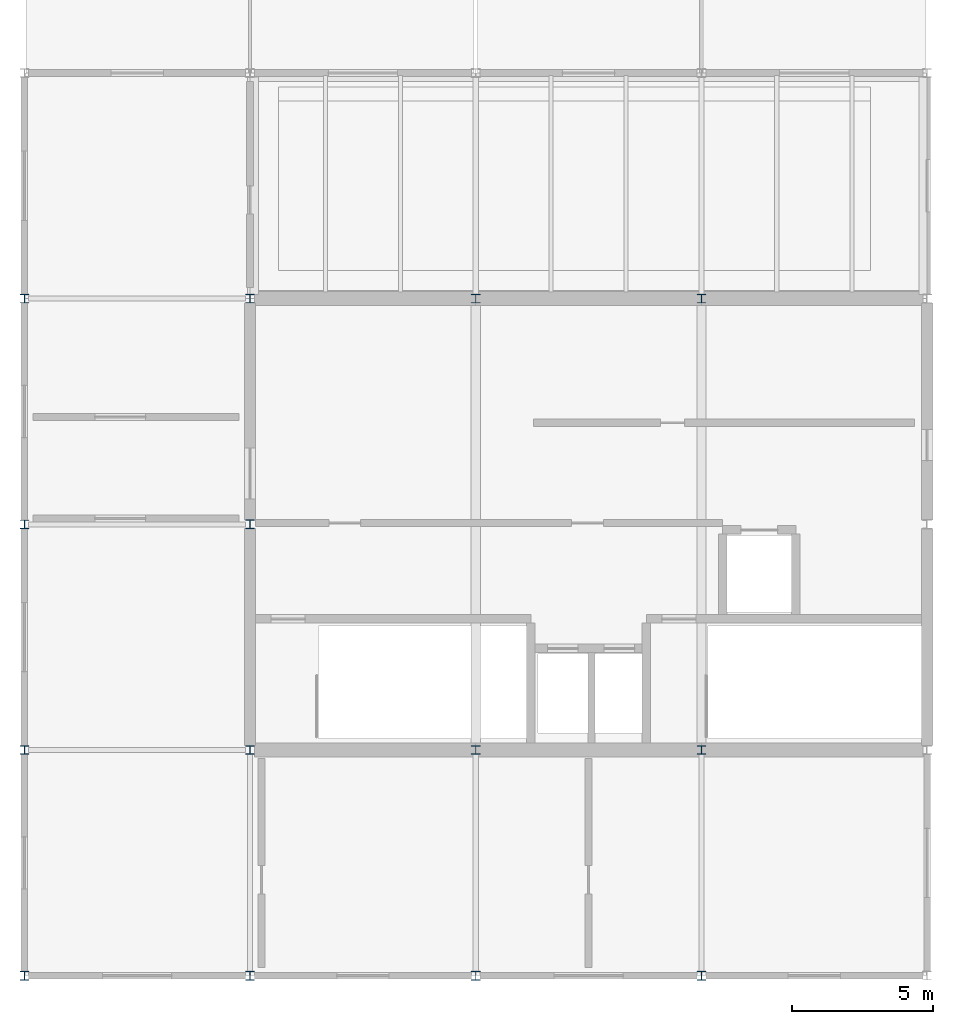
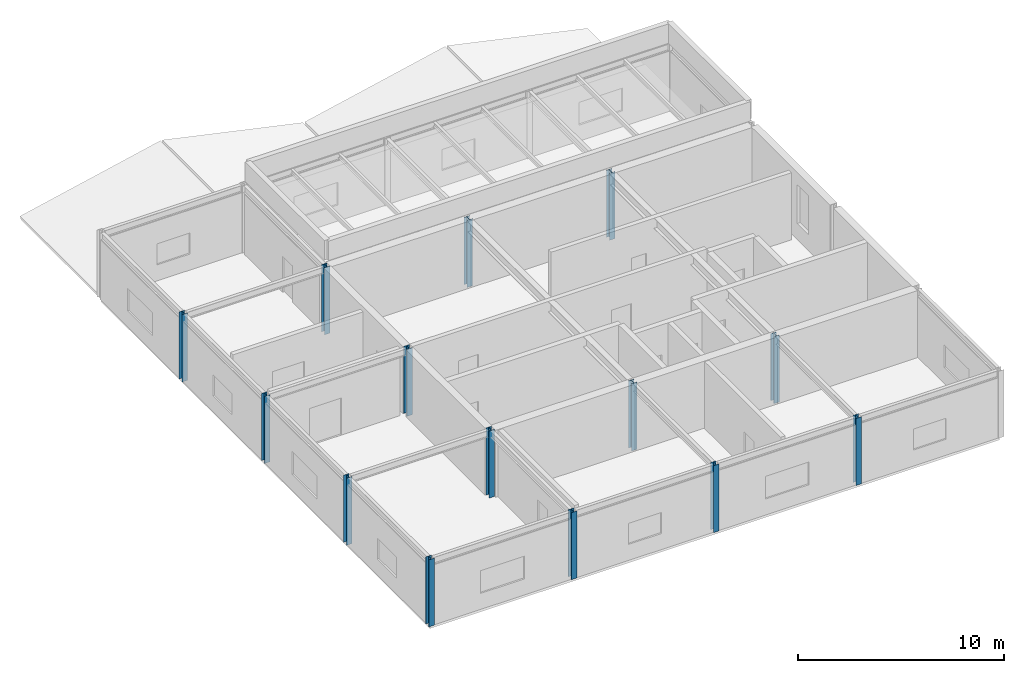
# One storey, part 1 of 7: 14 columns.
"""IFC4 building model written with IfcOpenShell, lengths in metres."""

import ifcopenshell
import ifcopenshell.guid

model = None  # the IFC model being written
_history = None  # IfcOwnerHistory: only IFC2X3 demands one
_inside = {}  # id of a spatial element -> (the spatial element, [elements in it])
_under = {}  # id of a project, library or spatial element -> (it, [spatial elements below it])
_declared = {}  # id of a project -> (the project, [libraries it declares])
_typed = {}  # id of a type object -> (the type object, [elements of that type])
_made_of = {}  # id of a material, layer set ... -> (it, [elements and type objects made of it])


def new_model(schema):
    """Start an empty IFC model of exactly this schema.

    Asked for "IFC4X3", IfcOpenShell would pick the latest addendum, in which some entities
    have other attributes; the version numbers below select the first issue.
    IFC2X3 requires an IfcOwnerHistory on every rooted entity: one is made here for all.
    """
    global model, _history
    if schema == "IFC4X3":
        model = ifcopenshell.file(schema_version=(4, 3, 0, 0))
    else:
        model = ifcopenshell.file(schema=schema)
    _inside.clear()
    _under.clear()
    _declared.clear()
    _typed.clear()
    _made_of.clear()
    _history = None
    if model.schema == "IFC2X3":
        org = make("IfcOrganization", Name="unknown")
        user = make(
            "IfcPersonAndOrganization",
            ThePerson=make("IfcPerson", FamilyName="unknown"),
            TheOrganization=org,
        )
        app = make(
            "IfcApplication",
            ApplicationDeveloper=org,
            Version="unknown",
            ApplicationFullName="unknown",
            ApplicationIdentifier="unknown",
        )
        _history = make(
            "IfcOwnerHistory",
            OwningUser=user,
            OwningApplication=app,
            ChangeAction="ADDED",
            CreationDate=0,
        )
    return model


def make(cls, **values):
    """One entity of the class cls with the attributes given. An attribute that is None is left unset."""
    return model.create_entity(
        cls, **{name: value for name, value in values.items() if value is not None}
    )


def rooted(cls, **values):
    """An entity with a GlobalId (a new one), such as an element, a storey or a relation."""
    return make(cls, GlobalId=ifcopenshell.guid.new(), OwnerHistory=_history, **values)


def si_unit(unit_type, name, prefix=None):
    """IfcSIUnit, for example si_unit("LENGTHUNIT", "METRE", prefix="MILLI")."""
    return make("IfcSIUnit", UnitType=unit_type, Prefix=prefix, Name=name)


def assignment(units):
    """IfcUnitAssignment: the units of a project."""
    return None if units is None else make("IfcUnitAssignment", Units=units)


def point(xyz):
    """IfcCartesianPoint."""
    return None if xyz is None else make("IfcCartesianPoint", Coordinates=xyz)


def direction(xyz):
    """IfcDirection."""
    return None if xyz is None else make("IfcDirection", DirectionRatios=xyz)


def frame(location, z_axis=None, x_axis=None):
    """IfcAxis2Placement3D, a coordinate frame: its origin and axes. An axis left out is left unset."""
    return make(
        "IfcAxis2Placement3D",
        Location=point(location),
        Axis=direction(z_axis),
        RefDirection=direction(x_axis),
    )


def frame_2d(location, x_axis=None):
    """IfcAxis2Placement2D, a coordinate frame in the plane: its origin and x axis."""
    return make(
        "IfcAxis2Placement2D", Location=point(location), RefDirection=direction(x_axis)
    )


def origin():
    """The frame at (0, 0, 0) with its axes left unset."""
    return frame((0.0, 0.0, 0.0))


def origin_2d():
    """The frame at (0, 0) in the plane with its x axis left unset."""
    return frame_2d((0.0, 0.0))


def place(relative_to, where):
    """IfcLocalPlacement: puts the frame where relative to a parent placement (None: the world)."""
    return make(
        "IfcLocalPlacement", PlacementRelTo=relative_to, RelativePlacement=where
    )


def context(
    kind, dimensions, precision=None, world=None, true_north=None, identifier=None
):
    """IfcGeometricRepresentationContext, for example the 3D "Model" context."""
    return make(
        "IfcGeometricRepresentationContext",
        ContextIdentifier=identifier,
        ContextType=kind,
        CoordinateSpaceDimension=dimensions,
        Precision=precision,
        WorldCoordinateSystem=world,
        TrueNorth=true_north,
    )


def subcontext(parent, identifier, kind, view, scale=None):
    """IfcGeometricRepresentationSubContext, for example "Body" below "Model"."""
    return make(
        "IfcGeometricRepresentationSubContext",
        ContextIdentifier=identifier,
        ContextType=kind,
        ParentContext=parent,
        TargetScale=scale,
        TargetView=view,
    )


def project(units=None, contexts=None):
    """IfcProject with its units and contexts."""
    return rooted(
        "IfcProject",
        Name="project",
        RepresentationContexts=contexts,
        UnitsInContext=assignment(units),
    )


def spatial(cls, under=None, at=None, **own):
    """A site, building, storey or space (cls), placed at a placement, below another one or the project."""
    s = rooted(cls, ObjectPlacement=at, **own)
    if under is not None:
        _under.setdefault(under.id(), (under, []))[1].append(s)
    return s


def profile(cls, at=None, kind="AREA", **sizes):
    """A parametric profile (cls). Its sizes go by their IFC names, for example OverallWidth=200.0."""
    return make(cls, ProfileType=kind, Position=at, **sizes)


def i_section(**sizes):
    """IfcIShapeProfileDef."""
    return profile("IfcIShapeProfileDef", **sizes)


def extrude(swept, where, along, depth):
    """IfcExtrudedAreaSolid: the profile swept, set in the frame where, extruded along a direction by depth."""
    return make(
        "IfcExtrudedAreaSolid",
        SweptArea=swept,
        Position=where,
        ExtrudedDirection=direction(along),
        Depth=depth,
    )


def shape(context_of_items, identifier, shape_type, items):
    """IfcShapeRepresentation: the items that make up one representation, for example the "Body"."""
    return make(
        "IfcShapeRepresentation",
        ContextOfItems=context_of_items,
        RepresentationIdentifier=identifier,
        RepresentationType=shape_type,
        Items=items,
    )


def material(Name=None, Category=None):
    """IfcMaterial."""
    return make("IfcMaterial", Name=Name, Category=Category)


def material_profile(
    of_material, cross_section, Name=None, Category=None, Priority=None
):
    """IfcMaterialProfile: a cross section and its material."""
    return make(
        "IfcMaterialProfile",
        Name=Name,
        Material=of_material,
        Profile=cross_section,
        Priority=Priority,
        Category=Category,
    )


def profile_set(profiles, Name=None, composite=None):
    """IfcMaterialProfileSet."""
    return make(
        "IfcMaterialProfileSet",
        Name=Name,
        MaterialProfiles=profiles,
        CompositeProfile=composite,
    )


def made_of(thing, what):
    """Note that an element or type object is made of a material, layer set ...; save() writes the relation."""
    if what is not None:
        _made_of.setdefault(what.id(), (what, []))[1].append(thing)
    return thing


def type_object(cls, material=None, **own):
    """A type object (cls), such as IfcWallType, which elements share."""
    return made_of(rooted(cls, **own), material)


def element(
    cls,
    number,
    at=None,
    inside=None,
    cuts=None,
    type_object=None,
    material=None,
    context=None,
    identifier="Body",
    shape_type=None,
    held_by="IfcProductDefinitionShape",
    body=None,
    shapes=None,
    **own,
):
    """One element of the class cls, such as IfcWall. Its Tag is "e" and its number.

    at: its placement. inside: the storey or other place that contains it. cuts: it is an
    opening in that element (IfcRelVoidsElement). A single representation is given by context,
    identifier, shape_type and body (its items); several are given by shapes. held_by: the class
    of the entity that holds the representations. save() writes the other relations.
    """
    e = rooted(cls, Tag="e%d" % number, ObjectPlacement=at, **own)
    if body is not None:
        shapes = [shape(context, identifier, shape_type, body)]
    if shapes is not None:
        e.Representation = make(held_by, Representations=shapes)
    if inside is not None:
        _inside.setdefault(inside.id(), (inside, []))[1].append(e)
    if cuts is not None:
        rooted(
            "IfcRelVoidsElement", RelatingBuildingElement=cuts, RelatedOpeningElement=e
        )
    if type_object is not None:
        _typed.setdefault(type_object.id(), (type_object, []))[1].append(e)
    return made_of(e, material)


def aggregate(whole, parts):
    """IfcRelAggregates: a whole, such as a stair, and the parts it consists of."""
    return rooted("IfcRelAggregates", RelatingObject=whole, RelatedObjects=parts)


def save(model, path):
    """Write the relations noted so far, then the file.

    IfcRelAggregates (storeys below a building ...), IfcRelContainedInSpatialStructure (elements
    in a storey), IfcRelDefinesByType, IfcRelAssociatesMaterial and IfcRelDeclares: one each for
    every whole, place, type object, material and project.
    """
    for whole, parts in _under.values():
        aggregate(whole, parts)
    for where, things in _inside.values():
        rooted(
            "IfcRelContainedInSpatialStructure",
            RelatedElements=things,
            RelatingStructure=where,
        )
    for kind, things in _typed.values():
        rooted("IfcRelDefinesByType", RelatedObjects=things, RelatingType=kind)
    for what, things in _made_of.values():
        rooted("IfcRelAssociatesMaterial", RelatedObjects=things, RelatingMaterial=what)
    for by, libraries in _declared.values():
        rooted("IfcRelDeclares", RelatingContext=by, RelatedDefinitions=libraries)
    model.write(path)


model = new_model("IFC4")

# Units and contexts
model_context = context("Model", 3, precision=1e-05, world=origin(), true_north=direction((0.0, 1.0)))
body_context = subcontext(model_context, "Body", "Model", "MODEL_VIEW")
ifc_project = project(units=[si_unit("LENGTHUNIT", "METRE"), si_unit("AREAUNIT", "SQUARE_METRE"), si_unit("VOLUMEUNIT", "CUBIC_METRE"), si_unit("PLANEANGLEUNIT", "RADIAN"), si_unit("MASSUNIT", "GRAM", prefix="KILO")], contexts=[model_context])

# Site, building, storey
site_placement = place(None, origin())
site = spatial("IfcSite", under=ifc_project, at=site_placement, CompositionType="ELEMENT")
building_placement = place(site_placement, origin())
building = spatial("IfcBuilding", under=site, at=building_placement, Name="Varnela Railside Interchange", CompositionType="ELEMENT")
storey_placement = place(building_placement, frame((0.0, 0.0, 36.39990234375)))
storey = spatial("IfcBuildingStorey", under=building, at=storey_placement, Name="L08", CompositionType="ELEMENT", Elevation=36.39990234375)

# Columns
ifc_material = material(Name="Steel AR 350 (350 MPa)", Category="steel")
ifc_material_profile_1 = material_profile(ifc_material, i_section(OverallWidth=0.31005859375, OverallDepth=0.30810546875, WebThickness=0.015380859375, FlangeThickness=0.015380859375, at=origin_2d()), Name="HP310x110")
ifc_profile_set_1 = profile_set([ifc_material_profile_1], Name="Steel AR 350 (350 MPa)")
column_type_1 = type_object("IfcColumnType", Name="Plant Floor Steel Column C-21", PredefinedType="COLUMN", material=ifc_profile_set_1)
for number, where, z_axis, x_axis, name in (
    (1, (12.0, 54.0, 0.0), (0.0, 0.0, 1.0), (1.0, 0.0, 0.0), "Column C-21 (L08) (CL-1082)"),
    (2, (12.0, 62.0, 0.0), (0.0, 0.0, 1.0), (1.0, 0.0, 0.0), "Column C-21 (L08) (CL-1083)"),
    (3, (12.0, 70.0, 0.0), (0.0, 0.0, 1.0), (1.0, 0.0, 0.0), "Column C-21 (L08) (CL-1084)"),
    (4, (20.0, 54.0, 0.0), (0.0, 0.0, 1.0), (1.0, 0.0, 0.0), "Column C-21 (L08) (CL-1087)"),
    (5, (20.0, 70.0, 0.0), (0.0, 0.0, 1.0), (1.0, 0.0, 0.0), "Column C-21 (L08) (CL-1088)"),
    (6, (28.0, 54.0, 0.0), (0.0, 0.0, 1.0), (1.0, 0.0, 0.0), "Column C-21 (L08) (CL-1091)"),
    (7, (28.0, 70.0, 0.0), (0.0, 0.0, 1.0), (1.0, 0.0, 0.0), "Column C-21 (L08) (CL-1092)"),
):
    element("IfcColumn", number, at=place(storey_placement, frame(where, z_axis=z_axis, x_axis=x_axis)), inside=storey, type_object=column_type_1, Name=name, PredefinedType="COLUMN", context=body_context, shape_type="SweptSolid", body=[
        extrude(i_section(OverallWidth=0.31005859375, OverallDepth=0.30810546875, WebThickness=0.015380859375, FlangeThickness=0.015380859375, at=origin_2d()), origin(), (0.0, 0.0, 1.0), 3.97998046875),
    ])
ifc_material_profile_2 = material_profile(ifc_material, i_section(OverallWidth=0.30810546875, OverallDepth=0.302978515625, WebThickness=0.01318359375, FlangeThickness=0.01318359375, at=origin_2d()), Name="HP310x93")
ifc_profile_set_2 = profile_set([ifc_material_profile_2], Name="Steel AR 350 (350 MPa)")
column_type_2 = type_object("IfcColumnType", Name="Roof Canopy Post Column C-22", PredefinedType="COLUMN", material=ifc_profile_set_2)
for number, where, z_axis, x_axis, name in (
    (8, (4.0, 46.0, 0.0), (0.0, 0.0, 1.0), (1.0, 0.0, 0.0), "Column C-22 (L08) (CL-1076)"),
    (9, (4.0, 54.0, 0.0), (0.0, 0.0, 1.0), (1.0, 0.0, 0.0), "Column C-22 (L08) (CL-1077)"),
    (10, (4.0, 62.0, 0.0), (0.0, 0.0, 1.0), (1.0, 0.0, 0.0), "Column C-22 (L08) (CL-1078)"),
    (11, (4.0, 70.0, 0.0), (0.0, 0.0, 1.0), (1.0, 0.0, 0.0), "Column C-22 (L08) (CL-1079)"),
    (12, (12.0, 46.0, 0.0), (0.0, 0.0, 1.0), (1.0, 0.0, 0.0), "Column C-22 (L08) (CL-1081)"),
    (13, (20.0, 46.0, 0.0), (0.0, 0.0, 1.0), (1.0, 0.0, 0.0), "Column C-22 (L08) (CL-1086)"),
    (14, (28.0, 46.0, 0.0), (0.0, 0.0, 1.0), (1.0, 0.0, 0.0), "Column C-22 (L08) (CL-1090)"),
):
    element("IfcColumn", number, at=place(storey_placement, frame(where, z_axis=z_axis, x_axis=x_axis)), inside=storey, type_object=column_type_2, Name=name, PredefinedType="COLUMN", context=body_context, shape_type="SweptSolid", body=[
        extrude(i_section(OverallWidth=0.30810546875, OverallDepth=0.302978515625, WebThickness=0.01318359375, FlangeThickness=0.01318359375, at=origin_2d()), origin(), (0.0, 0.0, 1.0), 3.97998046875),
    ])

save(model, "model.ifc")
